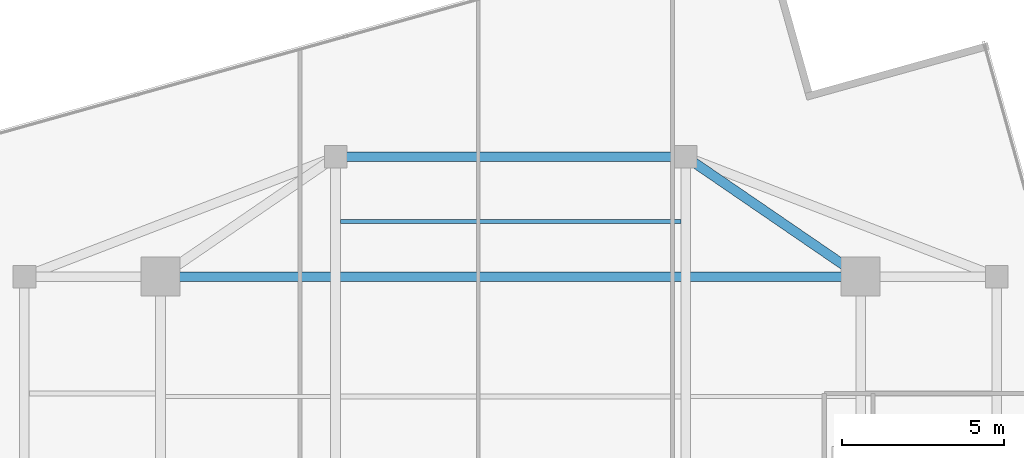
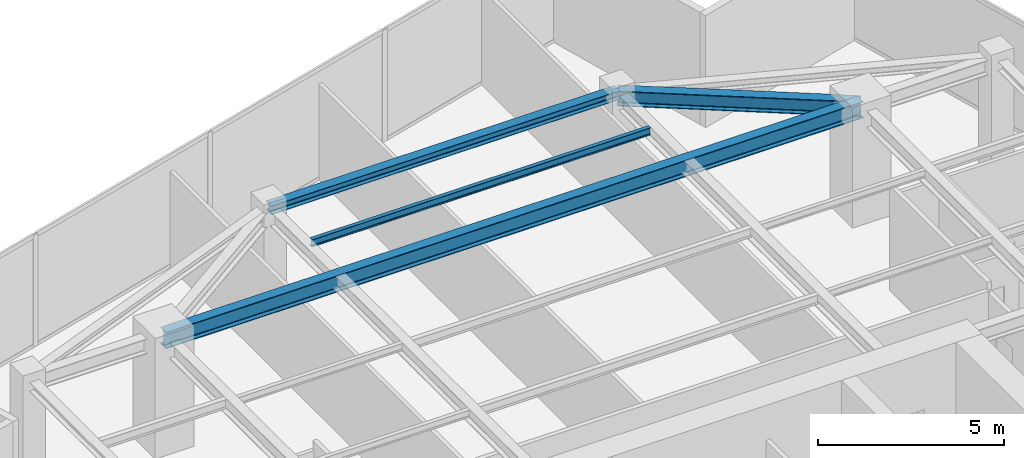
# One storey, part 13 of 20: 4 beams.
"""IFC4 building model written with IfcOpenShell, lengths in metres."""

from ifc_helpers import new_model, si_unit, direction, frame, origin, origin_2d, place, context, subcontext, project, spatial, i_section, extrude, source, transform, mapped, material, material_profile, profile_set, type_object, type_shapes, element, save


model = new_model("IFC4")

# Units and contexts
model_context = context("Model", 3, precision=1e-05, world=origin(), true_north=direction((0.0, 1.0)))
body_context = subcontext(model_context, "Body", "Model", "MODEL_VIEW")
ifc_project = project(units=[si_unit("LENGTHUNIT", "METRE"), si_unit("AREAUNIT", "SQUARE_METRE"), si_unit("VOLUMEUNIT", "CUBIC_METRE"), si_unit("PLANEANGLEUNIT", "RADIAN"), si_unit("MASSUNIT", "GRAM", prefix="KILO")], contexts=[model_context])

# Site, building, storey
site_placement = place(None, origin())
site = spatial("IfcSite", under=ifc_project, at=site_placement, CompositionType="ELEMENT")
building_placement = place(site_placement, origin())
building = spatial("IfcBuilding", under=site, at=building_placement, Name="Krantzveldt Concourse Tower", CompositionType="ELEMENT")
storey_placement = place(building_placement, frame((0.0, 0.0, 351.39990234375)))
storey = spatial("IfcBuildingStorey", under=building, at=storey_placement, Name="L86", CompositionType="ELEMENT", Elevation=351.39990234375)

# Beams
ifc_material = material(Name="Steel S355JR", Category="steel")
ifc_material_profile_1 = material_profile(ifc_material, i_section(OverallWidth=0.300048828125, OverallDepth=0.489990234375, WebThickness=0.011962890625, FlangeThickness=0.02294921875, FilletRadius=0.027099609375, at=origin_2d()), Name="Steel S355JR", Category="steel")
ifc_profile_set_1 = profile_set([ifc_material_profile_1], Name="Steel S355JR - HEA 500")
beam_type_1 = type_object("IfcBeamType", Name="BM-B-HEA500", PredefinedType="BEAM", material=ifc_profile_set_1)
shared_shape_1 = source(origin(), body_context, "Body", "SweptSolid", [
    extrude(i_section(OverallWidth=0.300048828125, OverallDepth=0.489990234375, WebThickness=0.011962890625, FlangeThickness=0.02294921875, FilletRadius=0.027099609375, at=origin_2d()), origin(), (0.0, 0.0, 1.0), 6.546142578125),
])
type_shapes(beam_type_1, [shared_shape_1])
beam_1_placement = place(storey_placement, frame((46.800048828125, 37.5, 3.425048828125), z_axis=(-0.824942999484, 0.565215930068, 0.0), x_axis=(-0.565215930068, -0.824942999484, 0.0)))
element("IfcBeam", 1, at=beam_1_placement, inside=storey, type_object=beam_type_1, Name="L86 Tower Girder BR-RR4", PredefinedType="BEAM", context=body_context, shape_type="MappedRepresentation", body=[
    mapped(shared_shape_1, transform((0.0, 0.0, 0.0), x_axis=(1.0, 0.0, 0.0), y_axis=(0.0, 1.0, 0.0), z_axis=(0.0, 0.0, 1.0), scale=1.0)),
])
ifc_material_profile_2 = material_profile(ifc_material, i_section(OverallWidth=0.300048828125, OverallDepth=0.5400390625, WebThickness=0.012451171875, FlangeThickness=0.02392578125, FilletRadius=0.027099609375, at=origin_2d()), Name="Steel S355JR", Category="steel")
ifc_profile_set_2 = profile_set([ifc_material_profile_2], Name="Steel S355JR - HEA 550")
beam_type_2 = type_object("IfcBeamType", Name="BM-B-HEA550", PredefinedType="BEAM", material=ifc_profile_set_2)
shared_shape_2 = source(origin(), body_context, "Body", "SweptSolid", [
    extrude(i_section(OverallWidth=0.300048828125, OverallDepth=0.5400390625, WebThickness=0.012451171875, FlangeThickness=0.02392578125, FilletRadius=0.027099609375, at=origin_2d()), origin(), (0.0, 0.0, 1.0), 21.60009765625),
])
type_shapes(beam_type_2, [shared_shape_2])
beam_2_placement = place(storey_placement, frame((25.199951171875, 37.5, 3.400146484375), z_axis=(1.0, 0.0, 0.0), x_axis=(0.0, 1.0, 0.0)))
element("IfcBeam", 2, at=beam_2_placement, inside=storey, type_object=beam_type_2, Name="L86 Tower Girder BG-MN", PredefinedType="BEAM", context=body_context, shape_type="MappedRepresentation", body=[
    mapped(shared_shape_2, transform((0.0, 0.0, 0.0), x_axis=(1.0, 0.0, 0.0), y_axis=(0.0, 1.0, 0.0), z_axis=(0.0, 0.0, 1.0), scale=1.0)),
])
ifc_material_profile_3 = material_profile(ifc_material, i_section(OverallWidth=0.2900390625, OverallDepth=0.2900390625, WebThickness=0.008544921875, FlangeThickness=0.013916015625, FilletRadius=0.027099609375, at=origin_2d()), Name="Steel S355JR", Category="steel")
ifc_profile_set_3 = profile_set([ifc_material_profile_3], Name="Steel S355JR - HEA 300")
beam_type_3 = type_object("IfcBeamType", Name="BM-SP-HEA300", PredefinedType="SPANDREL", material=ifc_profile_set_3)
shared_shape_3 = source(origin(), body_context, "Body", "SweptSolid", [
    extrude(i_section(OverallWidth=0.2900390625, OverallDepth=0.2900390625, WebThickness=0.008544921875, FlangeThickness=0.013916015625, FilletRadius=0.027099609375, at=origin_2d()), origin(), (0.0, 0.0, 1.0), 10.7998046875),
])
type_shapes(beam_type_3, [shared_shape_3])
beam_3_placement = place(storey_placement, frame((30.60009765625, 41.199951171875, 3.525146484375), z_axis=(1.0, 0.0, 0.0), x_axis=(0.0, 1.0, 0.0)))
element("IfcBeam", 3, at=beam_3_placement, inside=storey, type_object=beam_type_3, Name="L86 Tower Girder SP-R04", PredefinedType="SPANDREL", context=body_context, shape_type="MappedRepresentation", body=[
    mapped(shared_shape_3, transform((0.0, 0.0, 0.0), x_axis=(1.0, 0.0, 0.0), y_axis=(0.0, 1.0, 0.0), z_axis=(0.0, 0.0, 1.0), scale=1.0)),
])
ifc_material_profile_4 = material_profile(ifc_material, i_section(OverallWidth=0.1201171875, OverallDepth=0.239990234375, WebThickness=0.006103515625, FlangeThickness=0.009765625, FilletRadius=0.014892578125, at=origin_2d()), Name="Steel S355JR", Category="steel")
ifc_profile_set_4 = profile_set([ifc_material_profile_4], Name="Steel S355JR - IPE 240")
beam_type_4 = type_object("IfcBeamType", Name="BM-LN-IPE240", PredefinedType="LINTEL", material=ifc_profile_set_4)
shared_shape_4 = source(origin(), body_context, "Body", "SweptSolid", [
    extrude(i_section(OverallWidth=0.1201171875, OverallDepth=0.239990234375, WebThickness=0.006103515625, FlangeThickness=0.009765625, FilletRadius=0.014892578125, at=origin_2d()), origin(), (0.0, 0.0, 1.0), 10.5),
])
type_shapes(beam_type_4, [shared_shape_4])
beam_4_placement = place(storey_placement, frame((30.75, 39.199951171875, 3.550048828125), z_axis=(1.0, 0.0, 0.0), x_axis=(0.0, 1.0, 0.0)))
element("IfcBeam", 4, at=beam_4_placement, inside=storey, type_object=beam_type_4, Name="L86 Secondary Floor Joist JN-C3", PredefinedType="LINTEL", context=body_context, shape_type="MappedRepresentation", body=[
    mapped(shared_shape_4, transform((0.0, 0.0, 0.0), x_axis=(1.0, 0.0, 0.0), y_axis=(0.0, 1.0, 0.0), z_axis=(0.0, 0.0, 1.0), scale=1.0)),
])

save(model, "model.ifc")
